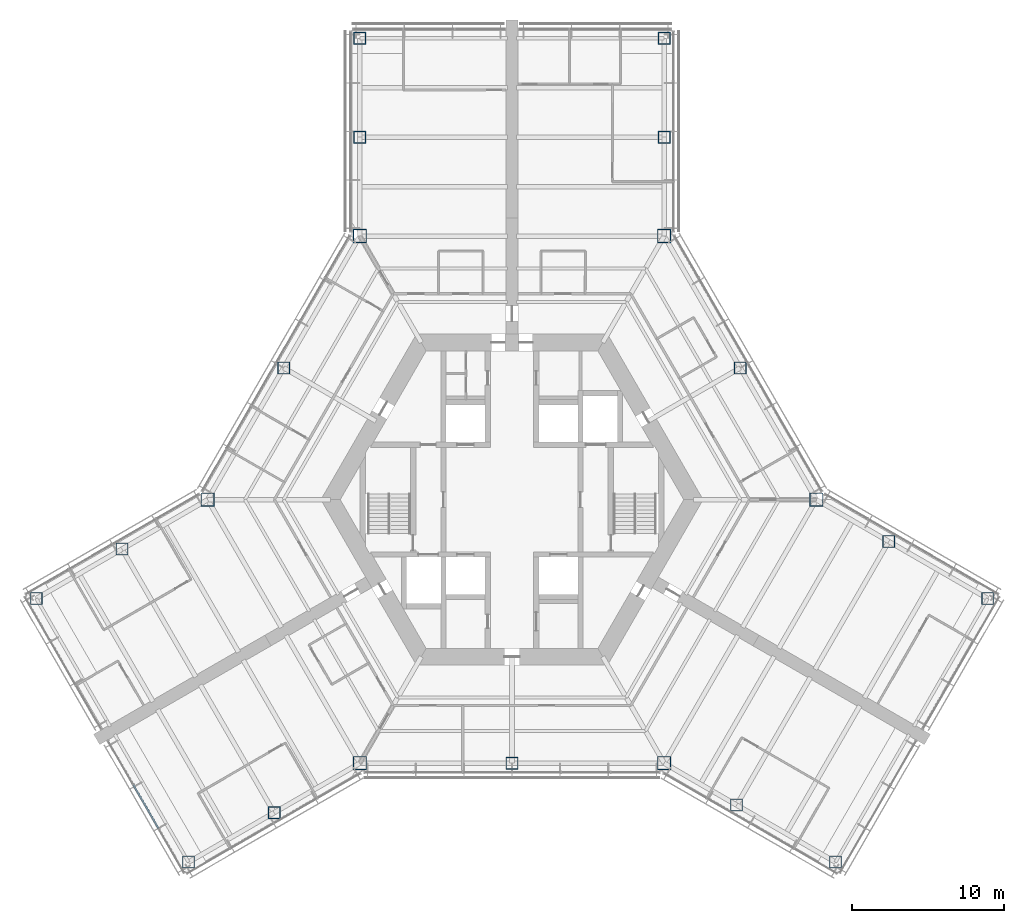
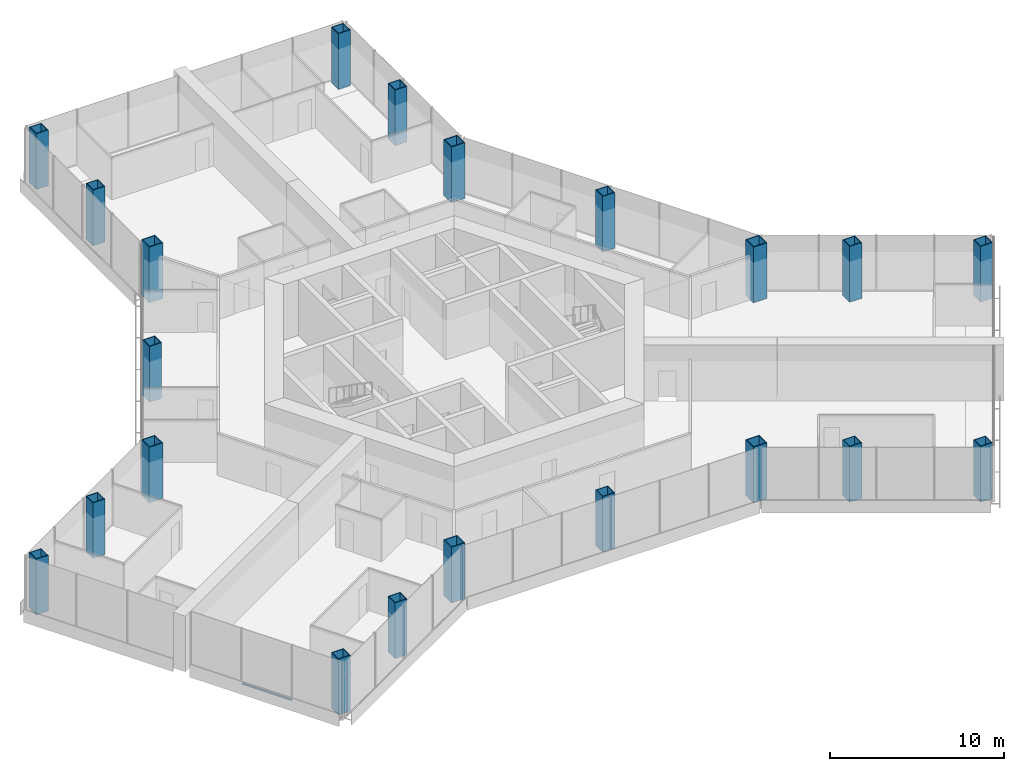
# One storey, part 1 of 18: 21 columns, 1 member, 1 element without a shape of its own.
"""IFC4 building model written with IfcOpenShell, lengths in metres."""

from ifc_helpers import new_model, si_unit, direction, frame, origin, origin_2d, place, context, subcontext, project, spatial, rectangle, hollow_rectangle, extrude, material, material_profile, profile_set, type_object, element, aggregate, save


model = new_model("IFC4")

# Units and contexts
model_context = context("Model", 3, precision=1e-05, world=origin(), true_north=direction((0.0, 1.0)))
body_context = subcontext(model_context, "Body", "Model", "MODEL_VIEW")
ifc_project = project(units=[si_unit("LENGTHUNIT", "METRE"), si_unit("AREAUNIT", "SQUARE_METRE"), si_unit("VOLUMEUNIT", "CUBIC_METRE"), si_unit("PLANEANGLEUNIT", "RADIAN"), si_unit("MASSUNIT", "GRAM", prefix="KILO")], contexts=[model_context])

# Site, building, storey
site_placement = place(None, origin())
site = spatial("IfcSite", under=ifc_project, at=site_placement, CompositionType="ELEMENT")
building_placement = place(site_placement, origin())
building = spatial("IfcBuilding", under=site, at=building_placement, Name="Kasaneha Research Tower", CompositionType="ELEMENT")
storey_placement = place(building_placement, frame((0.0, 0.0, 72.89990234375)))
storey = spatial("IfcBuildingStorey", under=building, at=storey_placement, Name="L18", CompositionType="ELEMENT", Elevation=72.89990234375)

# Columns
ifc_material_1 = material(Name="Steel SN490C", Category="steel")
ifc_material_profile_1 = material_profile(ifc_material_1, hollow_rectangle(XDim=0.89990234375, YDim=0.89990234375, WallThickness=0.054931640625, at=origin_2d()), Name="BOX-900x900x55")
ifc_profile_set_1 = profile_set([ifc_material_profile_1], Name="Steel SN490C")
column_type_1 = type_object("IfcColumnType", Name="C2A column BOX-900x900x55", PredefinedType="COLUMN", material=ifc_profile_set_1)
for number, where, z_axis, x_axis, name in (
    (1, (20.0, 0.0, 0.0), (0.0, 0.0, 1.0), (1.0, 0.0, 0.0), "Column V0 L18"),
    (2, (10.0, 17.320556640625, 0.0), (0.0, 0.0, 1.0), (1.0, 0.0, 0.0), "Column V1 L18"),
    (3, (-10.0, 17.320556640625, 0.0), (0.0, 0.0, 1.0), (1.0, 0.0, 0.0), "Column V2 L18"),
    (4, (-20.0, 0.0, 0.0), (0.0, 0.0, 1.0), (1.0, 0.0, 0.0), "Column V3 L18"),
    (5, (-10.0, -17.320556640625, 0.0), (0.0, 0.0, 1.0), (1.0, 0.0, 0.0), "Column V4 L18"),
    (6, (10.0, -17.320556640625, 0.0), (0.0, 0.0, 1.0), (1.0, 0.0, 0.0), "Column V5 L18"),
):
    element("IfcColumn", number, at=place(storey_placement, frame(where, z_axis=z_axis, x_axis=x_axis)), inside=storey, type_object=column_type_1, Name=name, PredefinedType="COLUMN", context=body_context, shape_type="SweptSolid", body=[
        extrude(hollow_rectangle(XDim=0.89990234375, YDim=0.89990234375, WallThickness=0.054931640625, at=origin_2d()), origin(), (0.0, 0.0, 1.0), 3.900146484375),
    ])
ifc_material_2 = material(Name="Steel SN490C", Category="steel")
ifc_material_profile_2 = material_profile(ifc_material_2, hollow_rectangle(XDim=0.800048828125, YDim=0.800048828125, WallThickness=0.044921875, at=origin_2d()), Name="BOX-800x800x45")
ifc_profile_set_2 = profile_set([ifc_material_profile_2], Name="Steel SN490C")
column_type_2 = type_object("IfcColumnType", Name="C2B column BOX-800x800x45", PredefinedType="COLUMN", material=ifc_profile_set_2)
for number, where, z_axis, x_axis, name in (
    (7, (15.0, 8.66015625, 0.0), (0.0, 0.0, 1.0), (1.0, 0.0, 0.0), "Column M030 L18"),
    (8, (-15.0, 8.66015625, 0.0), (0.0, 0.0, 1.0), (1.0, 0.0, 0.0), "Column M150 L18"),
    (9, (0.0, -17.320556640625, 0.0), (0.0, 0.0, 1.0), (1.0, 0.0, 0.0), "Column M270 L18"),
    (10, (10.0, 23.820556640625, 0.0), (0.0, 0.0, 1.0), (1.0, 0.0, 0.0), "Column ASP L18"),
    (11, (10.0, 30.320556640625, 0.0), (0.0, 0.0, 1.0), (1.0, 0.0, 0.0), "Column ATP L18"),
    (12, (-10.0, 23.820556640625, 0.0), (0.0, 0.0, 1.0), (1.0, 0.0, 0.0), "Column ASN L18"),
    (13, (-10.0, 30.320556640625, 0.0), (0.0, 0.0, 1.0), (1.0, 0.0, 0.0), "Column ATN L18"),
    (14, (-25.629150390625, -3.25, 0.0), (0.0, 0.0, 1.0), (1.0, 0.0, 0.0), "Column BSP L18"),
    (15, (-31.25830078125, -6.5, 0.0), (0.0, 0.0, 1.0), (1.0, 0.0, 0.0), "Column BTP L18"),
    (16, (-15.629150390625, -20.570556640625, 0.0), (0.0, 0.0, 1.0), (1.0, 0.0, 0.0), "Column BSN L18"),
    (17, (-21.25830078125, -23.820556640625, 0.0), (0.0, 0.0, 1.0), (1.0, 0.0, 0.0), "Column BTN L18"),
    (18, (14.76318359375, -20.070556640625, 0.0), (0.0, 0.0, 1.0), (1.0, 0.0, 0.0), "Column CSP L18"),
    (19, (21.25830078125, -23.820556640625, 0.0), (0.0, 0.0, 1.0), (1.0, 0.0, 0.0), "Column CTP L18"),
    (20, (24.76318359375, -2.75, 0.0), (0.0, 0.0, 1.0), (1.0, 0.0, 0.0), "Column CSN L18"),
    (21, (31.25830078125, -6.5, 0.0), (0.0, 0.0, 1.0), (1.0, 0.0, 0.0), "Column CTN L18"),
):
    element("IfcColumn", number, at=place(storey_placement, frame(where, z_axis=z_axis, x_axis=x_axis)), inside=storey, type_object=column_type_2, Name=name, PredefinedType="COLUMN", context=body_context, shape_type="SweptSolid", body=[
        extrude(hollow_rectangle(XDim=0.800048828125, YDim=0.800048828125, WallThickness=0.044921875, at=origin_2d()), origin(), (0.0, 0.0, 1.0), 3.900146484375),
    ])

# Curtain wall, member
ifc_material_3 = material(Name="Glass and aluminium", Category="aluminium")
curtain_wall_type = type_object("IfcCurtainWallType", Name="Low-rise office curtain wall", PredefinedType="USERDEFINED", material=ifc_material_3)
curtain_wall_placement = place(storey_placement, origin())
curtain_wall = element("IfcCurtainWall", 22, at=curtain_wall_placement, inside=storey, type_object=curtain_wall_type, Name="CW-O1 L18 run 15a", ObjectType="UNITISED CURTAIN WALL", PredefinedType="USERDEFINED")
ifc_material_4 = material(Name="Aluminium 6063-T6", Category="aluminium")
ifc_material_profile_3 = material_profile(ifc_material_4, rectangle(XDim=0.1201171875, YDim=0.06005859375, at=origin_2d()), Name="CW-O1 transom 120x60")
ifc_profile_set_3 = profile_set([ifc_material_profile_3], Name="Aluminium 6063-T6")
member_type = type_object("IfcMemberType", Name="CW-O1 transom", PredefinedType="USERDEFINED", material=ifc_profile_set_3)
member_placement = place(storey_placement, frame((-24.879638671875, -18.748291015625, 0.030029296875), z_axis=(0.500014325468, -0.866017132814, 0.0), x_axis=(0.866017132814, 0.500014325468, 0.0)))
member = element("IfcMember", 23, at=member_placement, type_object=member_type, Name="CW-O1 transom 2", ObjectType="TRANSOM", PredefinedType="USERDEFINED", context=body_context, shape_type="SweptSolid", body=[
    extrude(rectangle(XDim=0.1201171875, YDim=0.06005859375, at=origin_2d()), origin(), (0.0, 0.0, 1.0), 3.306640625),
])
aggregate(curtain_wall, [member])

save(model, "model.ifc")
